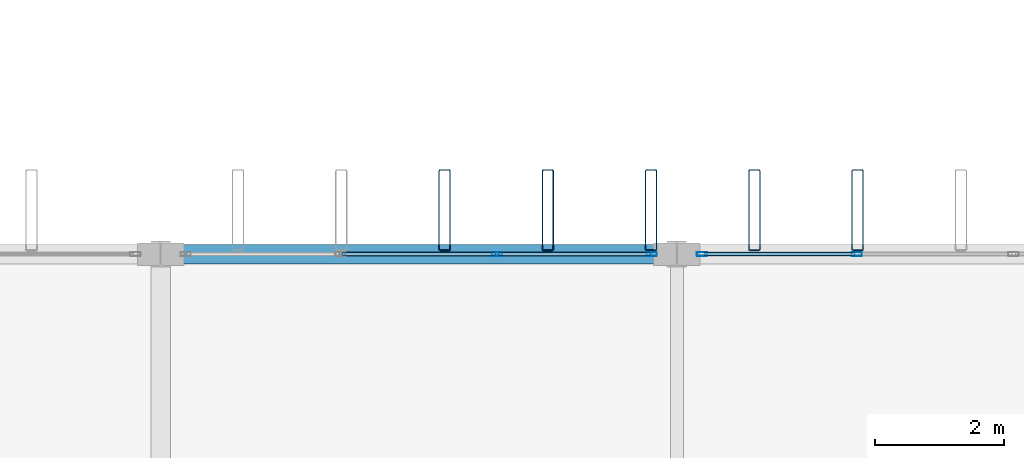
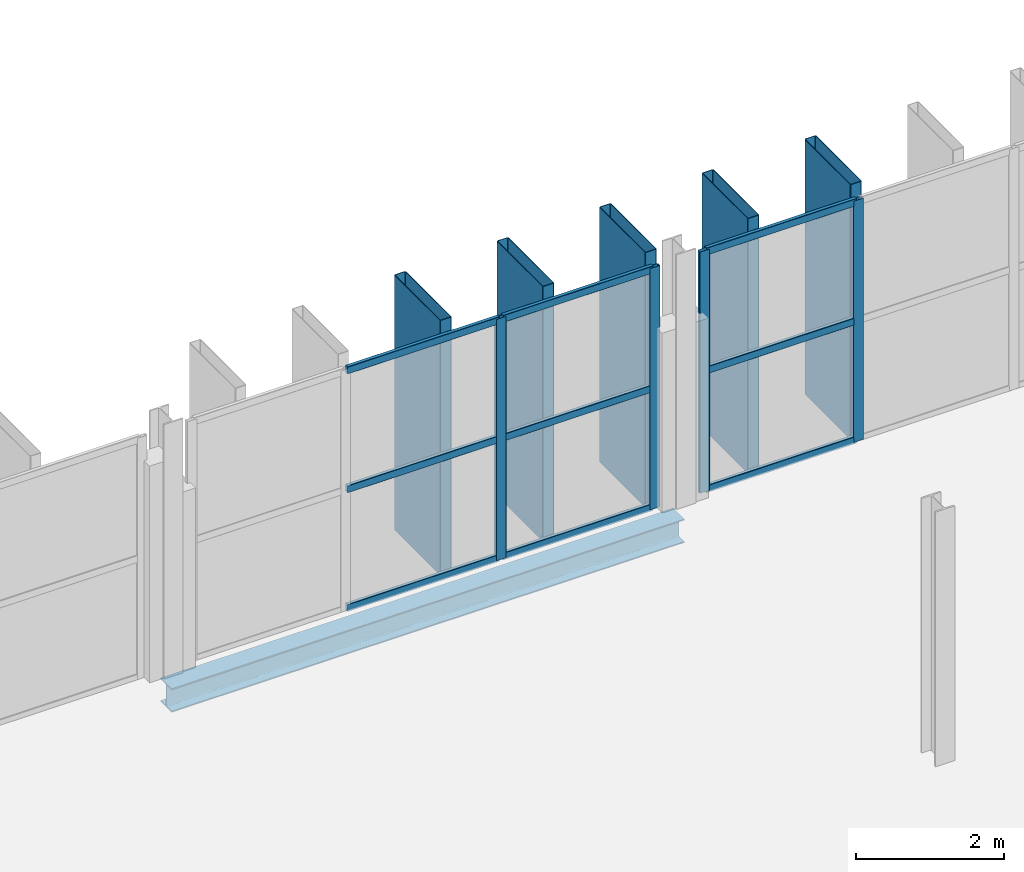
# One storey, part 49 of 101: 18 members, 1 beam, 2 elements without a shape of their own.
"""IFC4 building model written with IfcOpenShell, lengths in metres."""

from ifc_helpers import new_model, si_unit, direction, frame, origin, origin_2d, place, context, subcontext, project, spatial, hollow_rectangle, i_section, extrude, material, layer, layer_set, material_profile, profile_set, type_object, element, aggregate, save


model = new_model("IFC4")

# Units and contexts
model_context = context("Model", 3, precision=1e-05, world=origin(), true_north=direction((0.0, 1.0)))
body_context = subcontext(model_context, "Body", "Model", "MODEL_VIEW")
ifc_project = project(units=[si_unit("LENGTHUNIT", "METRE"), si_unit("AREAUNIT", "SQUARE_METRE"), si_unit("VOLUMEUNIT", "CUBIC_METRE"), si_unit("PLANEANGLEUNIT", "RADIAN"), si_unit("MASSUNIT", "GRAM", prefix="KILO")], contexts=[model_context])

# Site, building, storey
site_placement = place(None, origin())
site = spatial("IfcSite", under=ifc_project, at=site_placement, CompositionType="ELEMENT")
building_placement = place(site_placement, origin())
building = spatial("IfcBuilding", under=site, at=building_placement, Name="Vekula Escarpment Museum", CompositionType="ELEMENT")
storey_placement = place(building_placement, frame((0.0, 0.0, 18.0)))
storey = spatial("IfcBuildingStorey", under=building, at=storey_placement, Name="L04", CompositionType="ELEMENT", Elevation=18.0)

# Beam
ifc_material_1 = material(Name="Steel S355", Category="steel")
ifc_material_profile_1 = material_profile(ifc_material_1, i_section(OverallWidth=0.300048828125, OverallDepth=0.389892578125, WebThickness=0.010986328125, FlangeThickness=0.01904296875, FilletRadius=0.027099609375, at=origin_2d()), Name="HEA 400")
ifc_profile_set_1 = profile_set([ifc_material_profile_1], Name="Steel S355")
beam_type = type_object("IfcBeamType", Name="BM-SPAN-HEA400", PredefinedType="SPANDREL", material=ifc_profile_set_1)
beam_placement = place(storey_placement, frame((110.0, 90.39990234375, -0.43505859375), z_axis=(1.0, 0.0, 0.0), x_axis=(0.0, 1.0, 0.0)))
element("IfcBeam", 1, at=beam_placement, inside=storey, type_object=beam_type, Name="Beam X L04 1787", PredefinedType="SPANDREL", context=body_context, shape_type="SweptSolid", body=[
    extrude(i_section(OverallWidth=0.300048828125, OverallDepth=0.389892578125, WebThickness=0.010986328125, FlangeThickness=0.01904296875, FilletRadius=0.027099609375, at=origin_2d()), origin(), (0.0, 0.0, 1.0), 8.0),
])

# Curtain wall, members
ifc_material_2 = material(Name="Aluminium thermally broken framing", Category="aluminium")
ifc_layer_1 = layer(ifc_material_2, 0.199951171875)
ifc_layer_set_1 = layer_set([ifc_layer_1], Name="Aluminium thermally broken framing")
curtain_wall_type_1 = type_object("IfcCurtainWallType", Name="CW-SYS-04", PredefinedType="NOTDEFINED", material=ifc_layer_set_1)
curtain_wall_1_placement = place(storey_placement, origin())
curtain_wall_1 = element("IfcCurtainWall", 2, at=curtain_wall_1_placement, inside=storey, type_object=curtain_wall_type_1, Name="Curtain Wall CW-L04-154", PredefinedType="NOTDEFINED")
ifc_material_3 = material(Name="Aluminium anodized mullion", Category="aluminium")
ifc_material_profile_2 = material_profile(ifc_material_3, hollow_rectangle(XDim=0.06005859375, YDim=0.159912109375, WallThickness=0.00390625, InnerFilletRadius=0.00390625, OuterFilletRadius=0.008056640625, at=origin_2d()), Name="ALU 160x60x4")
ifc_profile_set_2 = profile_set([ifc_material_profile_2], Name="Aluminium anodized mullion")
member_type_1 = type_object("IfcMemberType", Name="CW-MUL-160", PredefinedType="MULLION", material=ifc_profile_set_2)
member_1_placement = place(storey_placement, frame((120.78662109375, 90.39990234375, 0.0), z_axis=(0.0, 0.0, 1.0), x_axis=(0.0, -1.0, 0.0)))
member_1 = element("IfcMember", 3, at=member_1_placement, type_object=member_type_1, Name="CW-04 mullion 3", PredefinedType="MULLION", context=body_context, shape_type="SweptSolid", body=[
    extrude(hollow_rectangle(XDim=0.06005859375, YDim=0.159912109375, WallThickness=0.00390625, InnerFilletRadius=0.00390625, OuterFilletRadius=0.008056640625, at=origin_2d()), origin(), (0.0, 0.0, 1.0), 3.97998046875),
])
member_2_placement = place(storey_placement, frame((118.389892578125, 90.39990234375, 0.0), z_axis=(0.0, 0.0, 1.0), x_axis=(0.0, -1.0, 0.0)))
member_2 = element("IfcMember", 4, at=member_2_placement, type_object=member_type_1, Name="CW-04 mullion 4", PredefinedType="MULLION", context=body_context, shape_type="SweptSolid", body=[
    extrude(hollow_rectangle(XDim=0.06005859375, YDim=0.159912109375, WallThickness=0.00390625, InnerFilletRadius=0.00390625, OuterFilletRadius=0.008056640625, at=origin_2d()), origin(), (0.0, 0.0, 1.0), 3.97998046875),
])

ifc_material_4 = material(Name="Aluminium thermally broken framing", Category="aluminium")
ifc_layer_2 = layer(ifc_material_4, 0.159912109375)
ifc_layer_set_2 = layer_set([ifc_layer_2], Name="Aluminium thermally broken framing")
curtain_wall_type_2 = type_object("IfcCurtainWallType", Name="CW-SYS-05", PredefinedType="NOTDEFINED", material=ifc_layer_set_2)
curtain_wall_2_placement = place(storey_placement, origin())
curtain_wall_2 = element("IfcCurtainWall", 5, at=curtain_wall_2_placement, inside=storey, type_object=curtain_wall_type_2, Name="Curtain Wall CW-L04-155", PredefinedType="NOTDEFINED")
member_3_placement = place(storey_placement, frame((117.610107421875, 90.39990234375, 0.0), z_axis=(0.0, 0.0, 1.0), x_axis=(0.0, -1.0, 0.0)))
member_3 = element("IfcMember", 6, at=member_3_placement, type_object=member_type_1, Name="CW-05 mullion 1", PredefinedType="MULLION", context=body_context, shape_type="SweptSolid", body=[
    extrude(hollow_rectangle(XDim=0.06005859375, YDim=0.159912109375, WallThickness=0.00390625, InnerFilletRadius=0.00390625, OuterFilletRadius=0.008056640625, at=origin_2d()), origin(), (0.0, 0.0, 1.0), 3.97998046875),
])
member_4_placement = place(storey_placement, frame((115.21337890625, 90.39990234375, 0.0), z_axis=(0.0, 0.0, 1.0), x_axis=(0.0, -1.0, 0.0)))
member_4 = element("IfcMember", 7, at=member_4_placement, type_object=member_type_1, Name="CW-05 mullion 2", PredefinedType="MULLION", context=body_context, shape_type="SweptSolid", body=[
    extrude(hollow_rectangle(XDim=0.06005859375, YDim=0.159912109375, WallThickness=0.00390625, InnerFilletRadius=0.00390625, OuterFilletRadius=0.008056640625, at=origin_2d()), origin(), (0.0, 0.0, 1.0), 3.97998046875),
])

# Member
ifc_material_5 = material(Name="Aluminium anodized transom", Category="aluminium")
ifc_material_profile_3 = material_profile(ifc_material_5, hollow_rectangle(XDim=0.06005859375, YDim=0.1201171875, WallThickness=0.00390625, InnerFilletRadius=0.00390625, OuterFilletRadius=0.008056640625, at=origin_2d()), Name="ALU 120x60x4")
ifc_profile_set_3 = profile_set([ifc_material_profile_3], Name="Aluminium anodized transom")
member_type_2 = type_object("IfcMemberType", Name="CW-TRN-120", PredefinedType="USERDEFINED", material=ifc_profile_set_3)
member_5_placement = place(storey_placement, frame((120.756591796875, 90.39990234375, 0.030029296875), z_axis=(-1.0, 0.0, 0.0), x_axis=(0.0, -1.0, 0.0)))
member_5 = element("IfcMember", 8, at=member_5_placement, type_object=member_type_2, Name="CW-04 transom 3.1", ObjectType="TRANSOM", PredefinedType="USERDEFINED", context=body_context, shape_type="SweptSolid", body=[
    extrude(hollow_rectangle(XDim=0.06005859375, YDim=0.1201171875, WallThickness=0.00390625, InnerFilletRadius=0.00390625, OuterFilletRadius=0.008056640625, at=origin_2d()), origin(), (0.0, 0.0, 1.0), 2.336669921875),
])

member_6_placement = place(storey_placement, frame((120.756591796875, 90.39990234375, 1.989990234375), z_axis=(-1.0, 0.0, 0.0), x_axis=(0.0, -1.0, 0.0)))
member_6 = element("IfcMember", 9, at=member_6_placement, type_object=member_type_2, Name="CW-04 transom 3.2", ObjectType="TRANSOM", PredefinedType="USERDEFINED", context=body_context, shape_type="SweptSolid", body=[
    extrude(hollow_rectangle(XDim=0.06005859375, YDim=0.1201171875, WallThickness=0.00390625, InnerFilletRadius=0.00390625, OuterFilletRadius=0.008056640625, at=origin_2d()), origin(), (0.0, 0.0, 1.0), 2.336669921875),
])

member_7_placement = place(storey_placement, frame((120.756591796875, 90.39990234375, 3.949951171875), z_axis=(-1.0, 0.0, 0.0), x_axis=(0.0, -1.0, 0.0)))
member_7 = element("IfcMember", 10, at=member_7_placement, type_object=member_type_2, Name="CW-04 transom 3.3", ObjectType="TRANSOM", PredefinedType="USERDEFINED", context=body_context, shape_type="SweptSolid", body=[
    extrude(hollow_rectangle(XDim=0.06005859375, YDim=0.1201171875, WallThickness=0.00390625, InnerFilletRadius=0.00390625, OuterFilletRadius=0.008056640625, at=origin_2d()), origin(), (0.0, 0.0, 1.0), 2.336669921875),
])

aggregate(curtain_wall_1, [member_1, member_2, member_5, member_6, member_7])

member_8_placement = place(storey_placement, frame((117.580078125, 90.39990234375, 0.030029296875), z_axis=(-1.0, 0.0, 0.0), x_axis=(0.0, -1.0, 0.0)))
member_8 = element("IfcMember", 11, at=member_8_placement, type_object=member_type_2, Name="CW-05 transom 1.1", ObjectType="TRANSOM", PredefinedType="USERDEFINED", context=body_context, shape_type="SweptSolid", body=[
    extrude(hollow_rectangle(XDim=0.06005859375, YDim=0.1201171875, WallThickness=0.00390625, InnerFilletRadius=0.00390625, OuterFilletRadius=0.008056640625, at=origin_2d()), origin(), (0.0, 0.0, 1.0), 2.336669921875),
])

member_9_placement = place(storey_placement, frame((117.580078125, 90.39990234375, 1.989990234375), z_axis=(-1.0, 0.0, 0.0), x_axis=(0.0, -1.0, 0.0)))
member_9 = element("IfcMember", 12, at=member_9_placement, type_object=member_type_2, Name="CW-05 transom 1.2", ObjectType="TRANSOM", PredefinedType="USERDEFINED", context=body_context, shape_type="SweptSolid", body=[
    extrude(hollow_rectangle(XDim=0.06005859375, YDim=0.1201171875, WallThickness=0.00390625, InnerFilletRadius=0.00390625, OuterFilletRadius=0.008056640625, at=origin_2d()), origin(), (0.0, 0.0, 1.0), 2.336669921875),
])

member_10_placement = place(storey_placement, frame((117.580078125, 90.39990234375, 3.949951171875), z_axis=(-1.0, 0.0, 0.0), x_axis=(0.0, -1.0, 0.0)))
member_10 = element("IfcMember", 13, at=member_10_placement, type_object=member_type_2, Name="CW-05 transom 1.3", ObjectType="TRANSOM", PredefinedType="USERDEFINED", context=body_context, shape_type="SweptSolid", body=[
    extrude(hollow_rectangle(XDim=0.06005859375, YDim=0.1201171875, WallThickness=0.00390625, InnerFilletRadius=0.00390625, OuterFilletRadius=0.008056640625, at=origin_2d()), origin(), (0.0, 0.0, 1.0), 2.336669921875),
])

member_11_placement = place(storey_placement, frame((115.183349609375, 90.39990234375, 0.030029296875), z_axis=(-1.0, 0.0, 0.0), x_axis=(0.0, -1.0, 0.0)))
member_11 = element("IfcMember", 14, at=member_11_placement, type_object=member_type_2, Name="CW-05 transom 2.1", ObjectType="TRANSOM", PredefinedType="USERDEFINED", context=body_context, shape_type="SweptSolid", body=[
    extrude(hollow_rectangle(XDim=0.06005859375, YDim=0.1201171875, WallThickness=0.00390625, InnerFilletRadius=0.00390625, OuterFilletRadius=0.008056640625, at=origin_2d()), origin(), (0.0, 0.0, 1.0), 2.36669921875),
])

member_12_placement = place(storey_placement, frame((115.183349609375, 90.39990234375, 1.989990234375), z_axis=(-1.0, 0.0, 0.0), x_axis=(0.0, -1.0, 0.0)))
member_12 = element("IfcMember", 15, at=member_12_placement, type_object=member_type_2, Name="CW-05 transom 2.2", ObjectType="TRANSOM", PredefinedType="USERDEFINED", context=body_context, shape_type="SweptSolid", body=[
    extrude(hollow_rectangle(XDim=0.06005859375, YDim=0.1201171875, WallThickness=0.00390625, InnerFilletRadius=0.00390625, OuterFilletRadius=0.008056640625, at=origin_2d()), origin(), (0.0, 0.0, 1.0), 2.36669921875),
])

member_13_placement = place(storey_placement, frame((115.183349609375, 90.39990234375, 3.949951171875), z_axis=(-1.0, 0.0, 0.0), x_axis=(0.0, -1.0, 0.0)))
member_13 = element("IfcMember", 16, at=member_13_placement, type_object=member_type_2, Name="CW-05 transom 2.3", ObjectType="TRANSOM", PredefinedType="USERDEFINED", context=body_context, shape_type="SweptSolid", body=[
    extrude(hollow_rectangle(XDim=0.06005859375, YDim=0.1201171875, WallThickness=0.00390625, InnerFilletRadius=0.00390625, OuterFilletRadius=0.008056640625, at=origin_2d()), origin(), (0.0, 0.0, 1.0), 2.36669921875),
])

aggregate(curtain_wall_2, [member_3, member_4, member_8, member_9, member_10, member_11, member_12, member_13])

# Members
ifc_material_6 = material(Name="Steel S355 weathered bronze solar fin", Category="steel")
ifc_material_profile_4 = material_profile(ifc_material_6, hollow_rectangle(XDim=0.179931640625, YDim=1.25, WallThickness=0.010009765625, InnerFilletRadius=0.010009765625, OuterFilletRadius=0.02001953125, at=origin_2d()), Name="RHS 1250x180x10")
ifc_profile_set_4 = profile_set([ifc_material_profile_4], Name="Steel S355 weathered bronze solar fin")
member_type_3 = type_object("IfcMemberType", Name="MB-SOLAR-FIN", PredefinedType="USERDEFINED", material=ifc_profile_set_4)
for number, where, z_axis, x_axis, name in (
    (17, (114.39990234375, 91.080078125, 0.0), (0.0, 0.0, 1.0), (1.0, 0.0, 0.0), "Great Hall Vertical Solar Fin 0249"),
    (18, (116.0, 91.080078125, 0.0), (0.0, 0.0, 1.0), (1.0, 0.0, 0.0), "Great Hall Vertical Solar Fin 0254"),
    (19, (117.60009765625, 91.080078125, 0.0), (0.0, 0.0, 1.0), (1.0, 0.0, 0.0), "Great Hall Vertical Solar Fin 0259"),
    (20, (119.199951171875, 91.080078125, 0.0), (0.0, 0.0, 1.0), (1.0, 0.0, 0.0), "Great Hall Vertical Solar Fin 0264"),
    (21, (120.800048828125, 91.080078125, 0.0), (0.0, 0.0, 1.0), (1.0, 0.0, 0.0), "Great Hall Vertical Solar Fin 0269"),
):
    element("IfcMember", number, at=place(storey_placement, frame(where, z_axis=z_axis, x_axis=x_axis)), inside=storey, type_object=member_type_3, Name=name, ObjectType="SOLAR FIN", PredefinedType="USERDEFINED", context=body_context, shape_type="SweptSolid", body=[
        extrude(hollow_rectangle(XDim=0.179931640625, YDim=1.25, WallThickness=0.010009765625, InnerFilletRadius=0.010009765625, OuterFilletRadius=0.02001953125, at=origin_2d()), origin(), (0.0, 0.0, 1.0), 4.199951171875),
    ])

save(model, "model.ifc")
